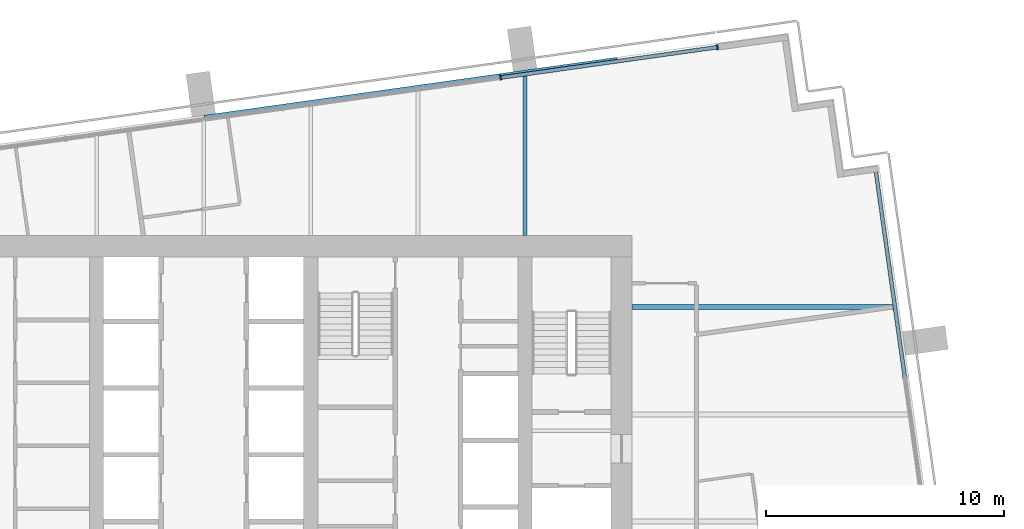
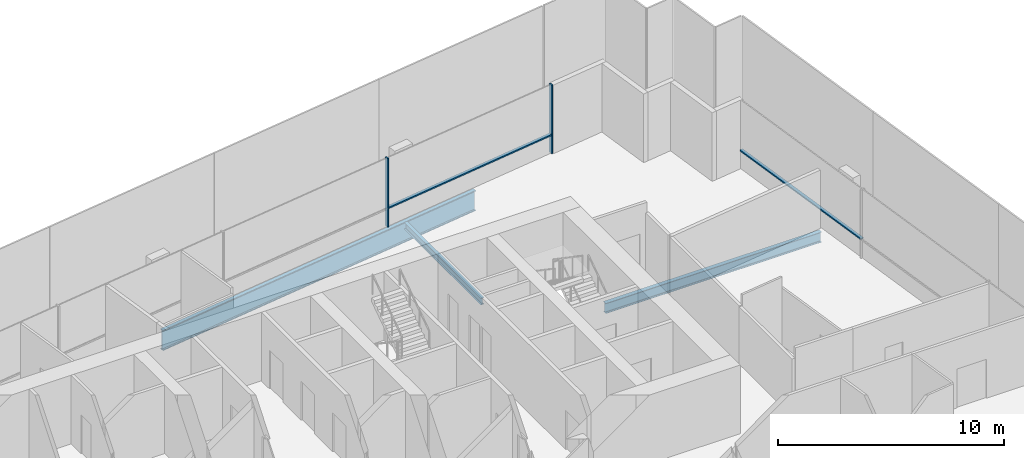
# One storey, part 7 of 17: 4 members, 3 beams, 2 elements without a shape of their own.
"""IFC4 building model written with IfcOpenShell, lengths in metres."""

import ifcopenshell
import ifcopenshell.guid

model = None  # the IFC model being written
_history = None  # IfcOwnerHistory: only IFC2X3 demands one
_inside = {}  # id of a spatial element -> (the spatial element, [elements in it])
_under = {}  # id of a project, library or spatial element -> (it, [spatial elements below it])
_declared = {}  # id of a project -> (the project, [libraries it declares])
_typed = {}  # id of a type object -> (the type object, [elements of that type])
_made_of = {}  # id of a material, layer set ... -> (it, [elements and type objects made of it])


def new_model(schema):
    """Start an empty IFC model of exactly this schema.

    Asked for "IFC4X3", IfcOpenShell would pick the latest addendum, in which some entities
    have other attributes; the version numbers below select the first issue.
    IFC2X3 requires an IfcOwnerHistory on every rooted entity: one is made here for all.
    """
    global model, _history
    if schema == "IFC4X3":
        model = ifcopenshell.file(schema_version=(4, 3, 0, 0))
    else:
        model = ifcopenshell.file(schema=schema)
    _inside.clear()
    _under.clear()
    _declared.clear()
    _typed.clear()
    _made_of.clear()
    _history = None
    if model.schema == "IFC2X3":
        org = make("IfcOrganization", Name="unknown")
        user = make(
            "IfcPersonAndOrganization",
            ThePerson=make("IfcPerson", FamilyName="unknown"),
            TheOrganization=org,
        )
        app = make(
            "IfcApplication",
            ApplicationDeveloper=org,
            Version="unknown",
            ApplicationFullName="unknown",
            ApplicationIdentifier="unknown",
        )
        _history = make(
            "IfcOwnerHistory",
            OwningUser=user,
            OwningApplication=app,
            ChangeAction="ADDED",
            CreationDate=0,
        )
    return model


def make(cls, **values):
    """One entity of the class cls with the attributes given. An attribute that is None is left unset."""
    return model.create_entity(
        cls, **{name: value for name, value in values.items() if value is not None}
    )


def rooted(cls, **values):
    """An entity with a GlobalId (a new one), such as an element, a storey or a relation."""
    return make(cls, GlobalId=ifcopenshell.guid.new(), OwnerHistory=_history, **values)


def si_unit(unit_type, name, prefix=None):
    """IfcSIUnit, for example si_unit("LENGTHUNIT", "METRE", prefix="MILLI")."""
    return make("IfcSIUnit", UnitType=unit_type, Prefix=prefix, Name=name)


def assignment(units):
    """IfcUnitAssignment: the units of a project."""
    return None if units is None else make("IfcUnitAssignment", Units=units)


def point(xyz):
    """IfcCartesianPoint."""
    return None if xyz is None else make("IfcCartesianPoint", Coordinates=xyz)


def direction(xyz):
    """IfcDirection."""
    return None if xyz is None else make("IfcDirection", DirectionRatios=xyz)


def frame(location, z_axis=None, x_axis=None):
    """IfcAxis2Placement3D, a coordinate frame: its origin and axes. An axis left out is left unset."""
    return make(
        "IfcAxis2Placement3D",
        Location=point(location),
        Axis=direction(z_axis),
        RefDirection=direction(x_axis),
    )


def frame_2d(location, x_axis=None):
    """IfcAxis2Placement2D, a coordinate frame in the plane: its origin and x axis."""
    return make(
        "IfcAxis2Placement2D", Location=point(location), RefDirection=direction(x_axis)
    )


def origin():
    """The frame at (0, 0, 0) with its axes left unset."""
    return frame((0.0, 0.0, 0.0))


def origin_2d():
    """The frame at (0, 0) in the plane with its x axis left unset."""
    return frame_2d((0.0, 0.0))


def place(relative_to, where):
    """IfcLocalPlacement: puts the frame where relative to a parent placement (None: the world)."""
    return make(
        "IfcLocalPlacement", PlacementRelTo=relative_to, RelativePlacement=where
    )


def context(
    kind, dimensions, precision=None, world=None, true_north=None, identifier=None
):
    """IfcGeometricRepresentationContext, for example the 3D "Model" context."""
    return make(
        "IfcGeometricRepresentationContext",
        ContextIdentifier=identifier,
        ContextType=kind,
        CoordinateSpaceDimension=dimensions,
        Precision=precision,
        WorldCoordinateSystem=world,
        TrueNorth=true_north,
    )


def subcontext(parent, identifier, kind, view, scale=None):
    """IfcGeometricRepresentationSubContext, for example "Body" below "Model"."""
    return make(
        "IfcGeometricRepresentationSubContext",
        ContextIdentifier=identifier,
        ContextType=kind,
        ParentContext=parent,
        TargetScale=scale,
        TargetView=view,
    )


def project(units=None, contexts=None):
    """IfcProject with its units and contexts."""
    return rooted(
        "IfcProject",
        Name="project",
        RepresentationContexts=contexts,
        UnitsInContext=assignment(units),
    )


def spatial(cls, under=None, at=None, **own):
    """A site, building, storey or space (cls), placed at a placement, below another one or the project."""
    s = rooted(cls, ObjectPlacement=at, **own)
    if under is not None:
        _under.setdefault(under.id(), (under, []))[1].append(s)
    return s


def profile(cls, at=None, kind="AREA", **sizes):
    """A parametric profile (cls). Its sizes go by their IFC names, for example OverallWidth=200.0."""
    return make(cls, ProfileType=kind, Position=at, **sizes)


def rectangle(**sizes):
    """IfcRectangleProfileDef."""
    return profile("IfcRectangleProfileDef", **sizes)


def i_section(**sizes):
    """IfcIShapeProfileDef."""
    return profile("IfcIShapeProfileDef", **sizes)


def extrude(swept, where, along, depth):
    """IfcExtrudedAreaSolid: the profile swept, set in the frame where, extruded along a direction by depth."""
    return make(
        "IfcExtrudedAreaSolid",
        SweptArea=swept,
        Position=where,
        ExtrudedDirection=direction(along),
        Depth=depth,
    )


def shape(context_of_items, identifier, shape_type, items):
    """IfcShapeRepresentation: the items that make up one representation, for example the "Body"."""
    return make(
        "IfcShapeRepresentation",
        ContextOfItems=context_of_items,
        RepresentationIdentifier=identifier,
        RepresentationType=shape_type,
        Items=items,
    )


def material(Name=None, Category=None):
    """IfcMaterial."""
    return make("IfcMaterial", Name=Name, Category=Category)


def layer(
    of_material, thickness, ventilated=None, Name=None, Category=None, Priority=None
):
    """IfcMaterialLayer: one layer of a wall or slab, of a material (None: an air gap)."""
    return make(
        "IfcMaterialLayer",
        Material=of_material,
        LayerThickness=thickness,
        IsVentilated=ventilated,
        Name=Name,
        Category=Category,
        Priority=Priority,
    )


def layer_set(layers, Name=None):
    """IfcMaterialLayerSet."""
    return make("IfcMaterialLayerSet", MaterialLayers=layers, LayerSetName=Name)


def material_profile(
    of_material, cross_section, Name=None, Category=None, Priority=None
):
    """IfcMaterialProfile: a cross section and its material."""
    return make(
        "IfcMaterialProfile",
        Name=Name,
        Material=of_material,
        Profile=cross_section,
        Priority=Priority,
        Category=Category,
    )


def profile_set(profiles, Name=None, composite=None):
    """IfcMaterialProfileSet."""
    return make(
        "IfcMaterialProfileSet",
        Name=Name,
        MaterialProfiles=profiles,
        CompositeProfile=composite,
    )


def made_of(thing, what):
    """Note that an element or type object is made of a material, layer set ...; save() writes the relation."""
    if what is not None:
        _made_of.setdefault(what.id(), (what, []))[1].append(thing)
    return thing


def type_object(cls, material=None, **own):
    """A type object (cls), such as IfcWallType, which elements share."""
    return made_of(rooted(cls, **own), material)


def element(
    cls,
    number,
    at=None,
    inside=None,
    cuts=None,
    type_object=None,
    material=None,
    context=None,
    identifier="Body",
    shape_type=None,
    held_by="IfcProductDefinitionShape",
    body=None,
    shapes=None,
    **own,
):
    """One element of the class cls, such as IfcWall. Its Tag is "e" and its number.

    at: its placement. inside: the storey or other place that contains it. cuts: it is an
    opening in that element (IfcRelVoidsElement). A single representation is given by context,
    identifier, shape_type and body (its items); several are given by shapes. held_by: the class
    of the entity that holds the representations. save() writes the other relations.
    """
    e = rooted(cls, Tag="e%d" % number, ObjectPlacement=at, **own)
    if body is not None:
        shapes = [shape(context, identifier, shape_type, body)]
    if shapes is not None:
        e.Representation = make(held_by, Representations=shapes)
    if inside is not None:
        _inside.setdefault(inside.id(), (inside, []))[1].append(e)
    if cuts is not None:
        rooted(
            "IfcRelVoidsElement", RelatingBuildingElement=cuts, RelatedOpeningElement=e
        )
    if type_object is not None:
        _typed.setdefault(type_object.id(), (type_object, []))[1].append(e)
    return made_of(e, material)


def aggregate(whole, parts):
    """IfcRelAggregates: a whole, such as a stair, and the parts it consists of."""
    return rooted("IfcRelAggregates", RelatingObject=whole, RelatedObjects=parts)


def save(model, path):
    """Write the relations noted so far, then the file.

    IfcRelAggregates (storeys below a building ...), IfcRelContainedInSpatialStructure (elements
    in a storey), IfcRelDefinesByType, IfcRelAssociatesMaterial and IfcRelDeclares: one each for
    every whole, place, type object, material and project.
    """
    for whole, parts in _under.values():
        aggregate(whole, parts)
    for where, things in _inside.values():
        rooted(
            "IfcRelContainedInSpatialStructure",
            RelatedElements=things,
            RelatingStructure=where,
        )
    for kind, things in _typed.values():
        rooted("IfcRelDefinesByType", RelatedObjects=things, RelatingType=kind)
    for what, things in _made_of.values():
        rooted("IfcRelAssociatesMaterial", RelatedObjects=things, RelatingMaterial=what)
    for by, libraries in _declared.values():
        rooted("IfcRelDeclares", RelatingContext=by, RelatedDefinitions=libraries)
    model.write(path)


model = new_model("IFC4")

# Units and contexts
model_context = context("Model", 3, precision=1e-05, world=origin(), true_north=direction((0.0, 1.0)))
body_context = subcontext(model_context, "Body", "Model", "MODEL_VIEW")
ifc_project = project(units=[si_unit("LENGTHUNIT", "METRE"), si_unit("AREAUNIT", "SQUARE_METRE"), si_unit("VOLUMEUNIT", "CUBIC_METRE"), si_unit("PLANEANGLEUNIT", "RADIAN"), si_unit("MASSUNIT", "GRAM", prefix="KILO")], contexts=[model_context])

# Site, building, storey
site_placement = place(None, origin())
site = spatial("IfcSite", under=ifc_project, at=site_placement, CompositionType="ELEMENT")
building_placement = place(site_placement, origin())
building = spatial("IfcBuilding", under=site, at=building_placement, Name="Rattan Terrace Tower", CompositionType="ELEMENT")
storey_placement = place(building_placement, frame((0.0, 0.0, 225.199951171875)))
storey = spatial("IfcBuildingStorey", under=building, at=storey_placement, Name="L51", CompositionType="ELEMENT", Elevation=225.199951171875)

# Beams
ifc_material_1 = material(Name="Steel S460", Category="steel")
ifc_material_profile_1 = material_profile(ifc_material_1, i_section(OverallWidth=0.179931640625, OverallDepth=1.10009765625, WebThickness=0.01611328125, FlangeThickness=0.050048828125, at=origin_2d()), Name="PG 1100x180-16-50")
ifc_profile_set_1 = profile_set([ifc_material_profile_1], Name="Steel S460")
beam_type_1 = type_object("IfcBeamType", Name="Frame edge girder PG 1100x180-16-50", PredefinedType="SPANDREL", material=ifc_profile_set_1)
beam_1_placement = place(storey_placement, frame((17.3740234375, 14.909912109375, -0.75), z_axis=(-0.990275742813, -0.139118486179, 0.0), x_axis=(0.139118486179, -0.990275742813, 0.0)))
element("IfcBeam", 1, at=beam_1_placement, inside=storey, type_object=beam_type_1, Name="gdr-L51-006", PredefinedType="SPANDREL", context=body_context, shape_type="SweptSolid", body=[
    extrude(i_section(OverallWidth=0.179931640625, OverallDepth=1.10009765625, WebThickness=0.01611328125, FlangeThickness=0.050048828125, at=origin_2d()), origin(), (0.0, 0.0, 1.0), 17.531494140625),
])
ifc_material_2 = material(Name="Steel S355", Category="steel")
ifc_material_profile_2 = material_profile(ifc_material_2, i_section(OverallWidth=0.169921875, OverallDepth=0.360107421875, WebThickness=0.008056640625, FlangeThickness=0.0126953125, FilletRadius=0.01806640625, at=origin_2d()), Name="IPE 360")
ifc_profile_set_2 = profile_set([ifc_material_profile_2], Name="Steel S355")
beam_type_2 = type_object("IfcBeamType", Name="Frame floor beam IPE 360", PredefinedType="JOIST", material=ifc_profile_set_2)
beam_2_placement = place(storey_placement, frame((13.5, 7.5, -0.3798828125), z_axis=(0.0, 1.0, 0.0), x_axis=(-1.0, 0.0, 0.0)))
element("IfcBeam", 2, at=beam_2_placement, inside=storey, type_object=beam_type_2, Name="bm-L51-020", PredefinedType="JOIST", context=body_context, shape_type="SweptSolid", body=[
    extrude(i_section(OverallWidth=0.169921875, OverallDepth=0.360107421875, WebThickness=0.008056640625, FlangeThickness=0.0126953125, FilletRadius=0.01806640625, at=origin_2d()), origin(), (0.0, 0.0, 1.0), 6.762939453125),
])
ifc_material_3 = material(Name="Steel S355", Category="steel")
ifc_material_profile_3 = material_profile(ifc_material_3, i_section(OverallWidth=0.2099609375, OverallDepth=0.550048828125, WebThickness=0.010986328125, FlangeThickness=0.01708984375, FilletRadius=0.02392578125, at=origin_2d()), Name="IPE 550")
ifc_profile_set_3 = profile_set([ifc_material_profile_3], Name="Steel S355")
beam_type_3 = type_object("IfcBeamType", Name="Frame floor beam IPE 550", PredefinedType="JOIST", material=ifc_profile_set_3)
beam_3_placement = place(storey_placement, frame((18.0, 4.5, -0.474853515625), z_axis=(1.0, 0.0, 0.0), x_axis=(0.0, 1.0, 0.0)))
element("IfcBeam", 3, at=beam_3_placement, inside=storey, type_object=beam_type_3, Name="bm-L51-013", PredefinedType="JOIST", context=body_context, shape_type="SweptSolid", body=[
    extrude(i_section(OverallWidth=0.2099609375, OverallDepth=0.550048828125, WebThickness=0.010986328125, FlangeThickness=0.01708984375, FilletRadius=0.02392578125, at=origin_2d()), origin(), (0.0, 0.0, 1.0), 11.013916015625),
])

# Curtain wall, members
ifc_material_4 = material(Name="Aluminium and laminated glass", Category="aluminium")
ifc_layer = layer(ifc_material_4, 0.199951171875)
ifc_layer_set = layer_set([ifc_layer], Name="High-Zone Unitised Curtain Wall")
curtain_wall_type = type_object("IfcCurtainWallType", Name="High-Zone Unitised Curtain Wall", PredefinedType="NOTDEFINED", material=ifc_layer_set)
curtain_wall_1_placement = place(storey_placement, origin())
curtain_wall_1 = element("IfcCurtainWall", 4, at=curtain_wall_1_placement, inside=storey, type_object=curtain_wall_type, Name="High-zone curtain wall L51-2", PredefinedType="NOTDEFINED")
ifc_material_5 = material(Name="Aluminium", Category="aluminium")
ifc_material_profile_4 = material_profile(ifc_material_5, rectangle(XDim=0.070068359375, YDim=0.199951171875, at=origin_2d()), Name="Aluminium 70x200")
ifc_profile_set_4 = profile_set([ifc_material_profile_4], Name="Aluminium")
member_type_1 = type_object("IfcMemberType", Name="High-Zone CW Mullion 70x200", PredefinedType="MULLION", material=ifc_profile_set_4)
member_1_placement = place(storey_placement, frame((21.580078125, 15.4208984375, 0.0), z_axis=(0.0, 0.0, 1.0), x_axis=(-0.990267457022, -0.139177453499, 0.0)))
member_1 = element("IfcMember", 5, at=member_1_placement, type_object=member_type_1, Name="Mullion cwl-L51-002.1", PredefinedType="MULLION", context=body_context, shape_type="SweptSolid", body=[
    extrude(rectangle(XDim=0.070068359375, YDim=0.199951171875, at=origin_2d()), origin(), (0.0, 0.0, 1.0), 3.699951171875),
])
member_2_placement = place(storey_placement, frame((12.473388671875, 14.140869140625, 0.0), z_axis=(0.0, 0.0, 1.0), x_axis=(-0.990267457022, -0.139177453499, 0.0)))
member_2 = element("IfcMember", 6, at=member_2_placement, type_object=member_type_1, Name="Mullion cwl-L51-002.2", PredefinedType="MULLION", context=body_context, shape_type="SweptSolid", body=[
    extrude(rectangle(XDim=0.070068359375, YDim=0.199951171875, at=origin_2d()), origin(), (0.0, 0.0, 1.0), 3.699951171875),
])

# Curtain wall, member
curtain_wall_2_placement = place(storey_placement, origin())
curtain_wall_2 = element("IfcCurtainWall", 7, at=curtain_wall_2_placement, inside=storey, type_object=curtain_wall_type, Name="High-zone curtain wall L51-1", PredefinedType="NOTDEFINED")
ifc_material_6 = material(Name="Aluminium", Category="aluminium")
ifc_material_profile_5 = material_profile(ifc_material_6, rectangle(XDim=0.159912109375, YDim=0.070068359375, at=origin_2d()), Name="Aluminium 160x70")
ifc_profile_set_5 = profile_set([ifc_material_profile_5], Name="Aluminium")
member_type_2 = type_object("IfcMemberType", Name="High-Zone CW Transom 160x70", PredefinedType="USERDEFINED", material=ifc_profile_set_5)
member_3_placement = place(storey_placement, frame((29.447509765625, 1.585693359375, 1.0), z_axis=(-0.139193563319, 0.990265192729, 0.0), x_axis=(-0.990265192729, -0.139193563319, 0.0)))
member_3 = element("IfcMember", 8, at=member_3_placement, type_object=member_type_2, Name="Transom cwl-L51-001.3", ObjectType="TRANSOM", PredefinedType="USERDEFINED", context=body_context, shape_type="SweptSolid", body=[
    extrude(rectangle(XDim=0.159912109375, YDim=0.070068359375, at=origin_2d()), origin(), (0.0, 0.0, 1.0), 8.669921875),
])
aggregate(curtain_wall_2, [member_3])

# Member
member_4_placement = place(storey_placement, frame((21.54541015625, 15.416015625, 1.0), z_axis=(-0.990265856778, -0.139188838988, 0.0), x_axis=(0.139188838988, -0.990265856778, 0.0)))
member_4 = element("IfcMember", 9, at=member_4_placement, type_object=member_type_2, Name="Transom cwl-L51-002.1", ObjectType="TRANSOM", PredefinedType="USERDEFINED", context=body_context, shape_type="SweptSolid", body=[
    extrude(rectangle(XDim=0.159912109375, YDim=0.070068359375, at=origin_2d()), origin(), (0.0, 0.0, 1.0), 9.126220703125),
])

aggregate(curtain_wall_1, [member_1, member_2, member_4])

save(model, "model.ifc")
